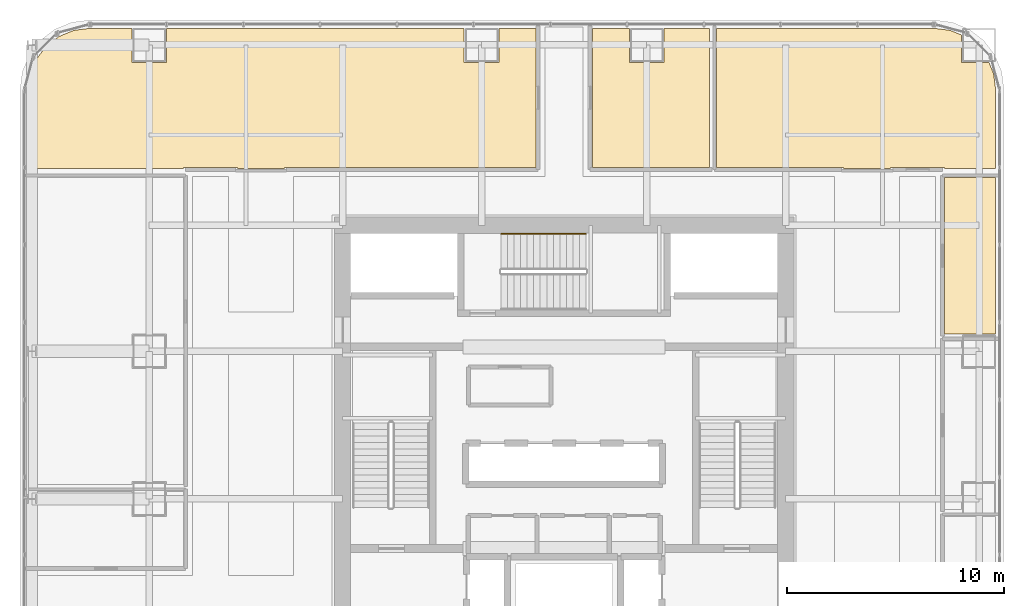
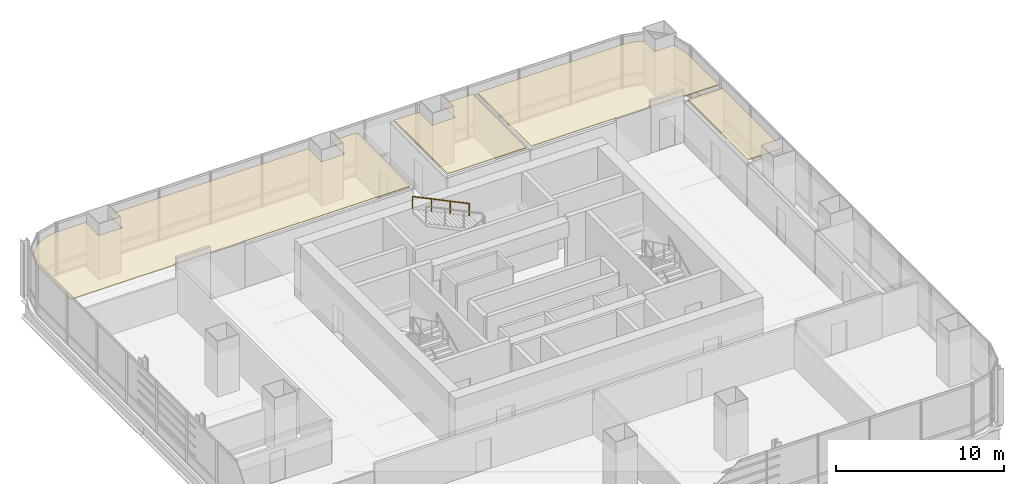
# One storey, part 36 of 36: 4 coverings, 1 railing.
"""IFC4 building model written with IfcOpenShell, lengths in metres."""

import ifcopenshell
import ifcopenshell.guid

model = None  # the IFC model being written
_history = None  # IfcOwnerHistory: only IFC2X3 demands one
_inside = {}  # id of a spatial element -> (the spatial element, [elements in it])
_under = {}  # id of a project, library or spatial element -> (it, [spatial elements below it])
_declared = {}  # id of a project -> (the project, [libraries it declares])
_typed = {}  # id of a type object -> (the type object, [elements of that type])
_made_of = {}  # id of a material, layer set ... -> (it, [elements and type objects made of it])


def new_model(schema):
    """Start an empty IFC model of exactly this schema.

    Asked for "IFC4X3", IfcOpenShell would pick the latest addendum, in which some entities
    have other attributes; the version numbers below select the first issue.
    IFC2X3 requires an IfcOwnerHistory on every rooted entity: one is made here for all.
    """
    global model, _history
    if schema == "IFC4X3":
        model = ifcopenshell.file(schema_version=(4, 3, 0, 0))
    else:
        model = ifcopenshell.file(schema=schema)
    _inside.clear()
    _under.clear()
    _declared.clear()
    _typed.clear()
    _made_of.clear()
    _history = None
    if model.schema == "IFC2X3":
        org = make("IfcOrganization", Name="unknown")
        user = make(
            "IfcPersonAndOrganization",
            ThePerson=make("IfcPerson", FamilyName="unknown"),
            TheOrganization=org,
        )
        app = make(
            "IfcApplication",
            ApplicationDeveloper=org,
            Version="unknown",
            ApplicationFullName="unknown",
            ApplicationIdentifier="unknown",
        )
        _history = make(
            "IfcOwnerHistory",
            OwningUser=user,
            OwningApplication=app,
            ChangeAction="ADDED",
            CreationDate=0,
        )
    return model


def make(cls, **values):
    """One entity of the class cls with the attributes given. An attribute that is None is left unset."""
    return model.create_entity(
        cls, **{name: value for name, value in values.items() if value is not None}
    )


def rooted(cls, **values):
    """An entity with a GlobalId (a new one), such as an element, a storey or a relation."""
    return make(cls, GlobalId=ifcopenshell.guid.new(), OwnerHistory=_history, **values)


def si_unit(unit_type, name, prefix=None):
    """IfcSIUnit, for example si_unit("LENGTHUNIT", "METRE", prefix="MILLI")."""
    return make("IfcSIUnit", UnitType=unit_type, Prefix=prefix, Name=name)


def assignment(units):
    """IfcUnitAssignment: the units of a project."""
    return None if units is None else make("IfcUnitAssignment", Units=units)


def point(xyz):
    """IfcCartesianPoint."""
    return None if xyz is None else make("IfcCartesianPoint", Coordinates=xyz)


def direction(xyz):
    """IfcDirection."""
    return None if xyz is None else make("IfcDirection", DirectionRatios=xyz)


def frame(location, z_axis=None, x_axis=None):
    """IfcAxis2Placement3D, a coordinate frame: its origin and axes. An axis left out is left unset."""
    return make(
        "IfcAxis2Placement3D",
        Location=point(location),
        Axis=direction(z_axis),
        RefDirection=direction(x_axis),
    )


def frame_2d(location, x_axis=None):
    """IfcAxis2Placement2D, a coordinate frame in the plane: its origin and x axis."""
    return make(
        "IfcAxis2Placement2D", Location=point(location), RefDirection=direction(x_axis)
    )


def origin():
    """The frame at (0, 0, 0) with its axes left unset."""
    return frame((0.0, 0.0, 0.0))


def origin_2d():
    """The frame at (0, 0) in the plane with its x axis left unset."""
    return frame_2d((0.0, 0.0))


def place(relative_to, where):
    """IfcLocalPlacement: puts the frame where relative to a parent placement (None: the world)."""
    return make(
        "IfcLocalPlacement", PlacementRelTo=relative_to, RelativePlacement=where
    )


def context(
    kind, dimensions, precision=None, world=None, true_north=None, identifier=None
):
    """IfcGeometricRepresentationContext, for example the 3D "Model" context."""
    return make(
        "IfcGeometricRepresentationContext",
        ContextIdentifier=identifier,
        ContextType=kind,
        CoordinateSpaceDimension=dimensions,
        Precision=precision,
        WorldCoordinateSystem=world,
        TrueNorth=true_north,
    )


def subcontext(parent, identifier, kind, view, scale=None):
    """IfcGeometricRepresentationSubContext, for example "Body" below "Model"."""
    return make(
        "IfcGeometricRepresentationSubContext",
        ContextIdentifier=identifier,
        ContextType=kind,
        ParentContext=parent,
        TargetScale=scale,
        TargetView=view,
    )


def project(units=None, contexts=None):
    """IfcProject with its units and contexts."""
    return rooted(
        "IfcProject",
        Name="project",
        RepresentationContexts=contexts,
        UnitsInContext=assignment(units),
    )


def spatial(cls, under=None, at=None, **own):
    """A site, building, storey or space (cls), placed at a placement, below another one or the project."""
    s = rooted(cls, ObjectPlacement=at, **own)
    if under is not None:
        _under.setdefault(under.id(), (under, []))[1].append(s)
    return s


def polyline(points):
    """IfcPolyline through the points."""
    return make("IfcPolyline", Points=[point(p) for p in points])


def profile(cls, at=None, kind="AREA", **sizes):
    """A parametric profile (cls). Its sizes go by their IFC names, for example OverallWidth=200.0."""
    return make(cls, ProfileType=kind, Position=at, **sizes)


def circle(**sizes):
    """IfcCircleProfileDef."""
    return profile("IfcCircleProfileDef", **sizes)


def outline(outer, holes=None, kind="AREA"):
    """IfcArbitraryClosedProfileDef: a profile drawn as a closed curve; with holes, ...WithVoids."""
    if holes is None:
        return make("IfcArbitraryClosedProfileDef", ProfileType=kind, OuterCurve=outer)
    return make(
        "IfcArbitraryProfileDefWithVoids",
        ProfileType=kind,
        OuterCurve=outer,
        InnerCurves=holes,
    )


def extrude(swept, where, along, depth):
    """IfcExtrudedAreaSolid: the profile swept, set in the frame where, extruded along a direction by depth."""
    return make(
        "IfcExtrudedAreaSolid",
        SweptArea=swept,
        Position=where,
        ExtrudedDirection=direction(along),
        Depth=depth,
    )


def shape(context_of_items, identifier, shape_type, items):
    """IfcShapeRepresentation: the items that make up one representation, for example the "Body"."""
    return make(
        "IfcShapeRepresentation",
        ContextOfItems=context_of_items,
        RepresentationIdentifier=identifier,
        RepresentationType=shape_type,
        Items=items,
    )


def material(Name=None, Category=None):
    """IfcMaterial."""
    return make("IfcMaterial", Name=Name, Category=Category)


def layer(
    of_material, thickness, ventilated=None, Name=None, Category=None, Priority=None
):
    """IfcMaterialLayer: one layer of a wall or slab, of a material (None: an air gap)."""
    return make(
        "IfcMaterialLayer",
        Material=of_material,
        LayerThickness=thickness,
        IsVentilated=ventilated,
        Name=Name,
        Category=Category,
        Priority=Priority,
    )


def layer_set(layers, Name=None):
    """IfcMaterialLayerSet."""
    return make("IfcMaterialLayerSet", MaterialLayers=layers, LayerSetName=Name)


def made_of(thing, what):
    """Note that an element or type object is made of a material, layer set ...; save() writes the relation."""
    if what is not None:
        _made_of.setdefault(what.id(), (what, []))[1].append(thing)
    return thing


def type_object(cls, material=None, **own):
    """A type object (cls), such as IfcWallType, which elements share."""
    return made_of(rooted(cls, **own), material)


def element(
    cls,
    number,
    at=None,
    inside=None,
    cuts=None,
    type_object=None,
    material=None,
    context=None,
    identifier="Body",
    shape_type=None,
    held_by="IfcProductDefinitionShape",
    body=None,
    shapes=None,
    **own,
):
    """One element of the class cls, such as IfcWall. Its Tag is "e" and its number.

    at: its placement. inside: the storey or other place that contains it. cuts: it is an
    opening in that element (IfcRelVoidsElement). A single representation is given by context,
    identifier, shape_type and body (its items); several are given by shapes. held_by: the class
    of the entity that holds the representations. save() writes the other relations.
    """
    e = rooted(cls, Tag="e%d" % number, ObjectPlacement=at, **own)
    if body is not None:
        shapes = [shape(context, identifier, shape_type, body)]
    if shapes is not None:
        e.Representation = make(held_by, Representations=shapes)
    if inside is not None:
        _inside.setdefault(inside.id(), (inside, []))[1].append(e)
    if cuts is not None:
        rooted(
            "IfcRelVoidsElement", RelatingBuildingElement=cuts, RelatedOpeningElement=e
        )
    if type_object is not None:
        _typed.setdefault(type_object.id(), (type_object, []))[1].append(e)
    return made_of(e, material)


def aggregate(whole, parts):
    """IfcRelAggregates: a whole, such as a stair, and the parts it consists of."""
    return rooted("IfcRelAggregates", RelatingObject=whole, RelatedObjects=parts)


def save(model, path):
    """Write the relations noted so far, then the file.

    IfcRelAggregates (storeys below a building ...), IfcRelContainedInSpatialStructure (elements
    in a storey), IfcRelDefinesByType, IfcRelAssociatesMaterial and IfcRelDeclares: one each for
    every whole, place, type object, material and project.
    """
    for whole, parts in _under.values():
        aggregate(whole, parts)
    for where, things in _inside.values():
        rooted(
            "IfcRelContainedInSpatialStructure",
            RelatedElements=things,
            RelatingStructure=where,
        )
    for kind, things in _typed.values():
        rooted("IfcRelDefinesByType", RelatedObjects=things, RelatingType=kind)
    for what, things in _made_of.values():
        rooted("IfcRelAssociatesMaterial", RelatedObjects=things, RelatingMaterial=what)
    for by, libraries in _declared.values():
        rooted("IfcRelDeclares", RelatingContext=by, RelatedDefinitions=libraries)
    model.write(path)


model = new_model("IFC4")

# Units and contexts
model_context = context("Model", 3, precision=1e-05, world=origin(), true_north=direction((0.0, 1.0)))
body_context = subcontext(model_context, "Body", "Model", "MODEL_VIEW")
ifc_project = project(units=[si_unit("LENGTHUNIT", "METRE"), si_unit("AREAUNIT", "SQUARE_METRE"), si_unit("VOLUMEUNIT", "CUBIC_METRE"), si_unit("PLANEANGLEUNIT", "RADIAN"), si_unit("MASSUNIT", "GRAM", prefix="KILO")], contexts=[model_context])

# Site, building, storey
site_placement = place(None, origin())
site = spatial("IfcSite", under=ifc_project, at=site_placement, CompositionType="ELEMENT")
building_placement = place(site_placement, origin())
building = spatial("IfcBuilding", under=site, at=building_placement, Name="Punatoya Terracotta Tower", CompositionType="ELEMENT")
storey_placement = place(building_placement, frame((0.0, 0.0, 40.35009765625)))
storey = spatial("IfcBuildingStorey", under=building, at=storey_placement, Name="L08", CompositionType="ELEMENT", Elevation=40.35009765625)

# Coverings
ifc_material_1 = material(Name="Acoustic Mineral Fibre Ceiling")
ifc_layer = layer(ifc_material_1, 0.06005859375)
ifc_layer_set = layer_set([ifc_layer], Name="Acoustic Mineral Fibre Ceiling")
covering_type = type_object("IfcCoveringType", Name="COV-CEIL-60", PredefinedType="CEILING", material=ifc_layer_set)
covering_1_placement = place(storey_placement, frame((0.0, 0.0, 3.199951171875)))
element("IfcCovering", 1, at=covering_1_placement, inside=storey, type_object=covering_type, Name="L08 Systems Engineering Office Acoustic Ceiling", PredefinedType="CEILING", context=body_context, shape_type="SweptSolid", body=[
    extrude(outline(polyline([(17.52001953125, 11.389892578125), (17.52001953125, 4.202880859375), (19.8701171875, 4.202880859375), (19.8701171875, 11.389892578125), (17.52001953125, 11.389892578125)])), origin(), (0.0, 0.0, 1.0), 0.06005859375),
])
covering_2_placement = place(storey_placement, frame((0.0, 0.0, 3.199951171875)))
element("IfcCovering", 2, at=covering_2_placement, inside=storey, type_object=covering_type, Name="L08 Quantitative Practice Office Acoustic Ceiling", PredefinedType="CEILING", context=body_context, shape_type="SweptSolid", body=[
    extrude(outline(polyline([(-21.8251953125, 18.27001953125), (-22.5791015625, 18.1708984375), (-23.25830078125, 17.889404296875), (-23.841796875, 17.441650390625), (-24.289306640625, 16.8583984375), (-24.57080078125, 16.178955078125), (-24.669921875, 15.425048828125), (-24.669921875, 11.81005859375), (-17.52001953125, 11.81005859375), (-17.52001953125, 11.8701171875), (-15.030029296875, 11.8701171875), (-15.030029296875, 11.81005859375), (-12.8701171875, 11.81005859375), (-12.8701171875, 11.8701171875), (-1.300048828125, 11.8701171875), (-1.300048828125, 18.27001953125), (-3.0, 18.27001953125), (-3.0, 16.699951171875), (-4.60009765625, 16.699951171875), (-4.60009765625, 18.27001953125), (-18.300048828125, 18.27001953125), (-18.300048828125, 16.699951171875), (-19.89990234375, 16.699951171875), (-19.89990234375, 18.27001953125), (-21.8251953125, 18.27001953125)])), origin(), (0.0, 0.0, 1.0), 0.06005859375),
])
covering_3_placement = place(storey_placement, frame((0.0, 0.0, 3.199951171875)))
element("IfcCovering", 3, at=covering_3_placement, inside=storey, type_object=covering_type, Name="L08 Open-Plan Regional Operations Office Acoustic Ceiling", PredefinedType="CEILING", context=body_context, shape_type="SweptSolid", body=[
    extrude(outline(polyline([(12.8701171875, 11.81005859375), (15.030029296875, 11.81005859375), (15.030029296875, 11.8701171875), (17.52001953125, 11.8701171875), (17.52001953125, 11.81005859375), (19.8701171875, 11.81005859375), (19.8701171875, 15.425048828125), (19.770751953125, 16.178955078125), (19.554931640625, 16.699951171875), (18.300048828125, 16.699951171875), (18.300048828125, 17.955078125), (17.779052734375, 18.1708984375), (17.025146484375, 18.27001953125), (7.02001953125, 18.27001953125), (7.02001953125, 11.8701171875), (12.8701171875, 11.8701171875), (12.8701171875, 11.81005859375)])), origin(), (0.0, 0.0, 1.0), 0.06005859375),
])
covering_4_placement = place(storey_placement, frame((0.0, 0.0, 3.199951171875)))
element("IfcCovering", 4, at=covering_4_placement, inside=storey, type_object=covering_type, Name="L08 Open-Plan Global Desk Workplace Acoustic Ceiling", PredefinedType="CEILING", context=body_context, shape_type="SweptSolid", body=[
    extrude(outline(polyline([(4.60009765625, 16.699951171875), (3.0, 16.699951171875), (3.0, 18.27001953125), (1.300048828125, 18.27001953125), (1.300048828125, 11.8701171875), (6.699951171875, 11.8701171875), (6.699951171875, 18.27001953125), (4.60009765625, 18.27001953125), (4.60009765625, 16.699951171875)])), origin(), (0.0, 0.0, 1.0), 0.06005859375),
])

# Railing
ifc_material_2 = material(Name="Steel S355", Category="steel")
railing_type = type_object("IfcRailingType", Name="RLG-HND-900", PredefinedType="HANDRAIL", material=ifc_material_2)
railing_placement = place(storey_placement, frame((1.0, 8.800048828125, 2.16943359375)))
element("IfcRailing", 5, at=railing_placement, inside=storey, type_object=railing_type, Name="L08 ST-3 stair handrail 2", PredefinedType="HANDRAIL", context=body_context, shape_type="SweptSolid", body=[
    extrude(circle(Radius=0.02392578125, at=origin_2d()), frame((0.0, 0.0, 0.8759765625), z_axis=(-0.900763166376, 0.0, 0.434310623978), x_axis=(0.0, -1.0, 0.0)), (0.0, 0.0, 1.0), 4.32958984375),
    extrude(circle(Radius=0.02099609375, at=origin_2d()), origin(), (0.0, 0.0, 1.0), 0.851806640625),
    extrude(circle(Radius=0.02099609375, at=origin_2d()), frame((-1.300048828125, 0.0, 0.626708984375)), (0.0, 0.0, 1.0), 0.851806640625),
    extrude(circle(Radius=0.02099609375, at=origin_2d()), frame((-2.599853515625, 0.0, 1.253662109375)), (0.0, 0.0, 1.0), 0.851806640625),
    extrude(circle(Radius=0.02099609375, at=origin_2d()), frame((-3.89990234375, 0.0, 1.88037109375)), (0.0, 0.0, 1.0), 0.851806640625),
])

save(model, "model.ifc")
